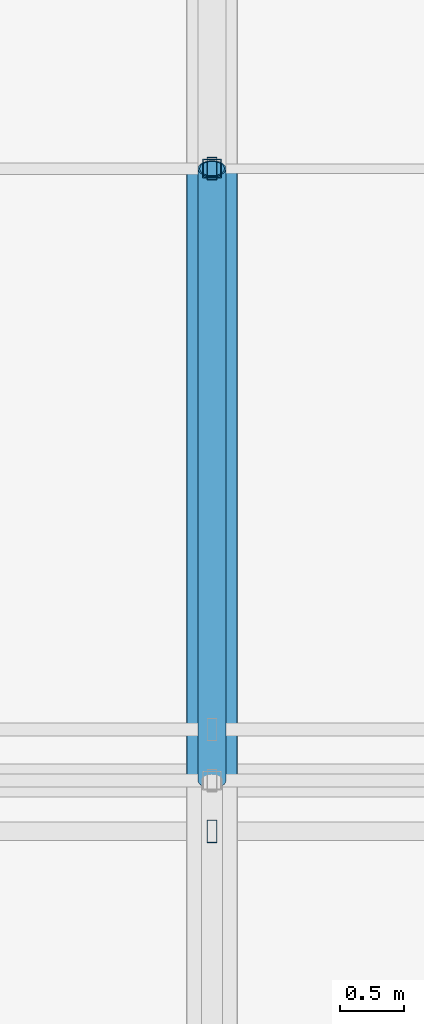
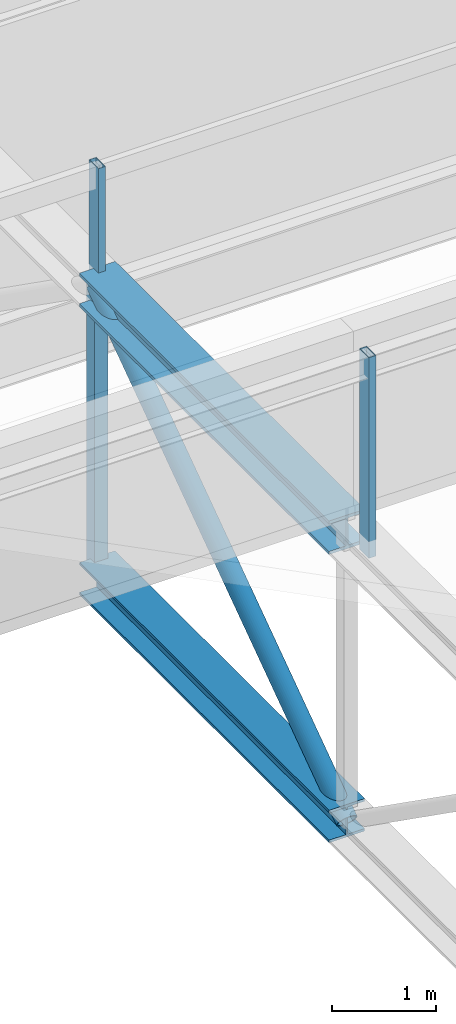
# One storey, part 43 of 136: 4 members, 2 beams.
"""IFC4 building model written with IfcOpenShell, lengths in metres."""

from ifc_helpers import new_model, si_unit, direction, frame, origin, origin_2d, place, context, subcontext, project, spatial, hollow_rectangle, hollow_circle, i_section, extrude, material, material_profile, profile_set, type_object, element, save


model = new_model("IFC4")

# Units and contexts
model_context = context("Model", 3, precision=1e-05, world=origin(), true_north=direction((0.0, 1.0)))
body_context = subcontext(model_context, "Body", "Model", "MODEL_VIEW")
ifc_project = project(units=[si_unit("LENGTHUNIT", "METRE"), si_unit("AREAUNIT", "SQUARE_METRE"), si_unit("VOLUMEUNIT", "CUBIC_METRE"), si_unit("PLANEANGLEUNIT", "RADIAN"), si_unit("MASSUNIT", "GRAM", prefix="KILO")], contexts=[model_context])

# Site, building, storey
site_placement = place(None, origin())
site = spatial("IfcSite", under=ifc_project, at=site_placement, CompositionType="ELEMENT")
building_placement = place(site_placement, origin())
building = spatial("IfcBuilding", under=site, at=building_placement, Name="Kisiwana Market Hall", CompositionType="ELEMENT")
storey_placement = place(building_placement, frame((0.0, 0.0, 16.800048828125)))
storey = spatial("IfcBuildingStorey", under=building, at=storey_placement, Name="L03", CompositionType="ELEMENT", Elevation=16.800048828125)

# Beams
ifc_material_1 = material(Name="Steel S355", Category="steel")
ifc_material_profile_1 = material_profile(ifc_material_1, i_section(OverallWidth=0.394775390625, OverallDepth=0.381103515625, WebThickness=0.018310546875, FlangeThickness=0.0302734375, at=origin_2d()), Name="UC 356x406x235")
ifc_profile_set_1 = profile_set([ifc_material_profile_1], Name="Steel S355")
beam_type_1 = type_object("IfcBeamType", Name="BM-TRUSS-BOT", PredefinedType="USERDEFINED", material=ifc_profile_set_1)
beam_1_placement = place(storey_placement, frame((63.0, 74.39990234375, 0.22998046875), z_axis=(0.0, 1.0, 0.0), x_axis=(-1.0, 0.0, 0.0)))
element("IfcBeam", 1, at=beam_1_placement, inside=storey, type_object=beam_type_1, Name="TR-02 BC panel 9 B-1206", ObjectType="ROOF TRUSS", PredefinedType="USERDEFINED", context=body_context, shape_type="SweptSolid", body=[
    extrude(i_section(OverallWidth=0.394775390625, OverallDepth=0.381103515625, WebThickness=0.018310546875, FlangeThickness=0.0302734375, at=origin_2d()), origin(), (0.0, 0.0, 1.0), 4.800048828125),
])
ifc_material_2 = material(Name="Steel S355", Category="steel")
ifc_material_profile_2 = material_profile(ifc_material_2, i_section(OverallWidth=0.39892578125, OverallDepth=0.3935546875, WebThickness=0.022705078125, FlangeThickness=0.03662109375, at=origin_2d()), Name="UC 356x406x287")
ifc_profile_set_2 = profile_set([ifc_material_profile_2], Name="Steel S355")
beam_type_2 = type_object("IfcBeamType", Name="BM-TRUSS-TOP", PredefinedType="USERDEFINED", material=ifc_profile_set_2)
beam_2_placement = place(storey_placement, frame((63.0, 74.39990234375, 3.619873046875), z_axis=(0.0, 1.0, 0.0), x_axis=(-1.0, 0.0, 0.0)))
element("IfcBeam", 2, at=beam_2_placement, inside=storey, type_object=beam_type_2, Name="TR-02 TC panel 9 B-1216", ObjectType="ROOF TRUSS", PredefinedType="USERDEFINED", context=body_context, shape_type="SweptSolid", body=[
    extrude(i_section(OverallWidth=0.39892578125, OverallDepth=0.3935546875, WebThickness=0.022705078125, FlangeThickness=0.03662109375, at=origin_2d()), origin(), (0.0, 0.0, 1.0), 4.800048828125),
])

# Members
ifc_material_3 = material(Name="Steel S355", Category="steel")
ifc_material_profile_3 = material_profile(ifc_material_3, hollow_rectangle(XDim=0.080078125, YDim=0.179931640625, WallThickness=0.00634765625, at=origin_2d()), Name="RHS 180x80x6.3")
ifc_profile_set_3 = profile_set([ifc_material_profile_3], Name="Steel S355")
member_type_1 = type_object("IfcMemberType", Name="MB-CAN-STRUT", PredefinedType="STRUT", material=ifc_profile_set_3)
member_1_placement = place(storey_placement, frame((63.0, 74.0, 3.619873046875), z_axis=(0.0, 0.0, 1.0), x_axis=(1.0, 0.0, 0.0)))
element("IfcMember", 3, at=member_1_placement, inside=storey, type_object=member_type_1, Name="Sawtooth raker post 292 M-0300", PredefinedType="STRUT", context=body_context, shape_type="SweptSolid", body=[
    extrude(hollow_rectangle(XDim=0.080078125, YDim=0.179931640625, WallThickness=0.00634765625, at=origin_2d()), origin(), (0.0, 0.0, 1.0), 2.355712890625),
])
member_2_placement = place(storey_placement, frame((63.0, 79.199951171875, 3.619873046875), z_axis=(0.0, 0.0, 1.0), x_axis=(1.0, 0.0, 0.0)))
element("IfcMember", 4, at=member_2_placement, inside=storey, type_object=member_type_1, Name="Sawtooth mid-slope raker post 60 M-0084", PredefinedType="STRUT", context=body_context, shape_type="SweptSolid", body=[
    extrude(hollow_rectangle(XDim=0.080078125, YDim=0.179931640625, WallThickness=0.00634765625, at=origin_2d()), origin(), (0.0, 0.0, 1.0), 1.42041015625),
])
ifc_material_4 = material(Name="Steel S355", Category="steel")
ifc_material_profile_4 = material_profile(ifc_material_4, hollow_circle(Radius=0.109619140625, WallThickness=0.012451171875, at=origin_2d()), Name="CHS 219.1x12.5")
ifc_profile_set_4 = profile_set([ifc_material_profile_4], Name="Steel S355")
member_type_2 = type_object("IfcMemberType", Name="MB-TR-DIAG219", PredefinedType="BRACE", material=ifc_profile_set_4)
member_3_placement = place(storey_placement, frame((63.0, 74.39990234375, 0.22998046875), z_axis=(0.0, 0.816837735077, 0.576867501732), x_axis=(-1.0, 0.0, 0.0)))
element("IfcMember", 5, at=member_3_placement, inside=storey, type_object=member_type_2, Name="TR-02 diagonal 9 M-0363", PredefinedType="BRACE", context=body_context, shape_type="SweptSolid", body=[
    extrude(hollow_circle(Radius=0.109619140625, WallThickness=0.012451171875, at=origin_2d()), origin(), (0.0, 0.0, 1.0), 5.87646484375),
])
ifc_material_5 = material(Name="Steel S355", Category="steel")
ifc_material_profile_5 = material_profile(ifc_material_5, hollow_rectangle(XDim=0.14990234375, YDim=0.14990234375, WallThickness=0.008056640625, at=origin_2d()), Name="SHS 150x150x8.0")
ifc_profile_set_5 = profile_set([ifc_material_profile_5], Name="Steel S355")
member_type_3 = type_object("IfcMemberType", Name="MB-TR-STRUT200", PredefinedType="STRUT", material=ifc_profile_set_5)
member_4_placement = place(storey_placement, frame((63.0, 79.199951171875, 0.22998046875), z_axis=(0.0, 0.0, 1.0), x_axis=(1.0, 0.0, 0.0)))
element("IfcMember", 6, at=member_4_placement, inside=storey, type_object=member_type_3, Name="TR-02 vertical strut 10 M-0364", PredefinedType="STRUT", context=body_context, shape_type="SweptSolid", body=[
    extrude(hollow_rectangle(XDim=0.14990234375, YDim=0.14990234375, WallThickness=0.008056640625, at=origin_2d()), origin(), (0.0, 0.0, 1.0), 3.389892578125),
])

save(model, "model.ifc")
